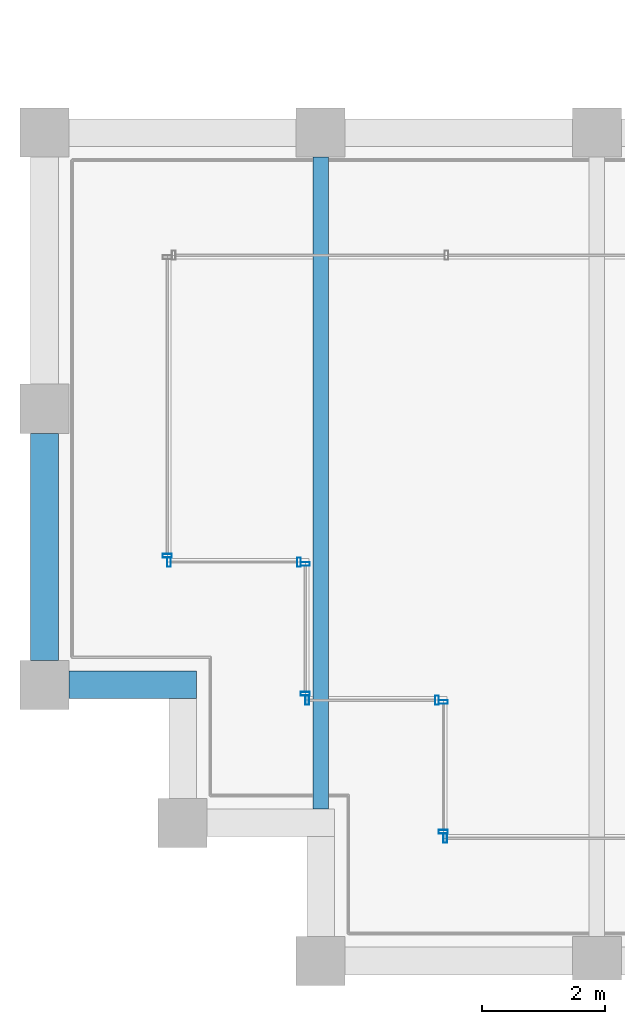
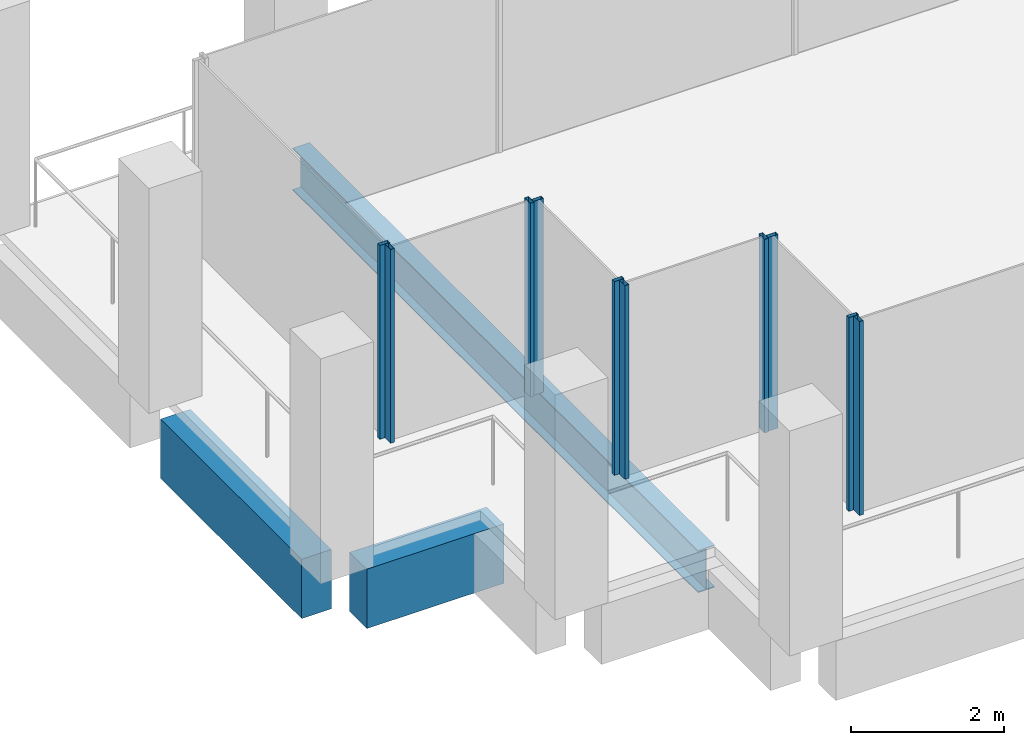
# One storey, part 2 of 41: 10 members, 3 beams, 6 elements without a shape of their own.
"""IFC4 building model written with IfcOpenShell, lengths in metres."""

from ifc_helpers import new_model, si_unit, direction, frame, origin, origin_2d, place, context, subcontext, project, spatial, rectangle, hollow_rectangle, i_section, extrude, material, material_profile, profile_set, type_object, element, aggregate, save


model = new_model("IFC4")

# Units and contexts
model_context = context("Model", 3, precision=1e-05, world=origin(), true_north=direction((0.0, 1.0)))
body_context = subcontext(model_context, "Body", "Model", "MODEL_VIEW")
ifc_project = project(units=[si_unit("LENGTHUNIT", "METRE"), si_unit("AREAUNIT", "SQUARE_METRE"), si_unit("VOLUMEUNIT", "CUBIC_METRE"), si_unit("PLANEANGLEUNIT", "RADIAN"), si_unit("MASSUNIT", "GRAM", prefix="KILO")], contexts=[model_context])

# Site, building, storey
site_placement = place(None, origin())
site = spatial("IfcSite", under=ifc_project, at=site_placement, CompositionType="ELEMENT")
building_placement = place(site_placement, origin())
building = spatial("IfcBuilding", under=site, at=building_placement, Name="Altepetl Exchange Towers", CompositionType="ELEMENT")
storey_placement = place(building_placement, frame((0.0, 0.0, 206.39990234375)))
storey = spatial("IfcBuildingStorey", under=building, at=storey_placement, Name="L52", CompositionType="ELEMENT", Elevation=206.39990234375)

# Beam
ifc_material_1 = material(Name="Steel S355", Category="steel")
ifc_material_profile_1 = material_profile(ifc_material_1, i_section(OverallWidth=0.2529296875, OverallDepth=0.677978515625, WebThickness=0.01171875, FlangeThickness=0.016357421875, at=origin_2d()), Name="W27X84")
ifc_profile_set_1 = profile_set([ifc_material_profile_1], Name="Steel S355")
beam_type_1 = type_object("IfcBeamType", Name="Floor beam W27X84", PredefinedType="BEAM", material=ifc_profile_set_1)
beam_1_placement = place(storey_placement, frame((31.5, 29.47509765625, -0.489013671875), z_axis=(0.0, 1.0, 0.0), x_axis=(-1.0, 0.0, 0.0)))
element("IfcBeam", 1, at=beam_1_placement, inside=storey, type_object=beam_type_1, Name="bm:A:L52:012", PredefinedType="BEAM", context=body_context, shape_type="SweptSolid", body=[
    extrude(i_section(OverallWidth=0.2529296875, OverallDepth=0.677978515625, WebThickness=0.01171875, FlangeThickness=0.016357421875, at=origin_2d()), origin(), (0.0, 0.0, 1.0), 10.625),
])

# Curtain wall, member
ifc_material_2 = material(Name="Aluminium 6063-T6 glazing", Category="aluminium")
curtain_wall_type = type_object("IfcCurtainWallType", Name="Loggia glazing system", PredefinedType="NOTDEFINED", material=ifc_material_2)
curtain_wall_1_placement = place(storey_placement, origin())
curtain_wall_1 = element("IfcCurtainWall", 2, at=curtain_wall_1_placement, inside=storey, type_object=curtain_wall_type, Name="CW1 run", PredefinedType="NOTDEFINED")
ifc_material_3 = material(Name="Aluminium 6063-T6", Category="aluminium")
ifc_material_profile_2 = material_profile(ifc_material_3, hollow_rectangle(XDim=0.06005859375, YDim=0.14990234375, WallThickness=0.0029296875, at=origin_2d()), Name="Mullion 60x150 aluminium")
ifc_profile_set_2 = profile_set([ifc_material_profile_2], Name="Aluminium 6063-T6")
member_type = type_object("IfcMemberType", Name="Mullion 60x150 aluminium", PredefinedType="MULLION", material=ifc_profile_set_2)
member_1_placement = place(storey_placement, frame((29.0, 33.60498046875, 0.0), z_axis=(0.0, 0.0, 1.0), x_axis=(0.0, -1.0, 0.0)))
member_1 = element("IfcMember", 3, at=member_1_placement, type_object=member_type, Name="MU1 mullion", PredefinedType="MULLION", context=body_context, shape_type="SweptSolid", body=[
    extrude(hollow_rectangle(XDim=0.06005859375, YDim=0.14990234375, WallThickness=0.0029296875, at=origin_2d()), origin(), (0.0, 0.0, 1.0), 3.10009765625),
])
aggregate(curtain_wall_1, [member_1])

# Curtain wall, members
curtain_wall_2_placement = place(storey_placement, origin())
curtain_wall_2 = element("IfcCurtainWall", 4, at=curtain_wall_2_placement, inside=storey, type_object=curtain_wall_type, Name="CW1 run", PredefinedType="NOTDEFINED")
member_2_placement = place(storey_placement, frame((29.030029296875, 33.5, 0.0)))
member_2 = element("IfcMember", 5, at=member_2_placement, type_object=member_type, Name="MU1 mullion", PredefinedType="MULLION", context=body_context, shape_type="SweptSolid", body=[
    extrude(hollow_rectangle(XDim=0.06005859375, YDim=0.14990234375, WallThickness=0.0029296875, at=origin_2d()), origin(), (0.0, 0.0, 1.0), 3.10009765625),
])
member_3_placement = place(storey_placement, frame((31.14501953125, 33.5, 0.0)))
member_3 = element("IfcMember", 6, at=member_3_placement, type_object=member_type, Name="MU1 mullion", PredefinedType="MULLION", context=body_context, shape_type="SweptSolid", body=[
    extrude(hollow_rectangle(XDim=0.06005859375, YDim=0.14990234375, WallThickness=0.0029296875, at=origin_2d()), origin(), (0.0, 0.0, 1.0), 3.10009765625),
])
aggregate(curtain_wall_2, [member_2, member_3])

curtain_wall_3_placement = place(storey_placement, origin())
curtain_wall_3 = element("IfcCurtainWall", 7, at=curtain_wall_3_placement, inside=storey, type_object=curtain_wall_type, Name="CW1 run", PredefinedType="NOTDEFINED")
member_4_placement = place(storey_placement, frame((31.25, 33.469970703125, 0.0), z_axis=(0.0, 0.0, 1.0), x_axis=(0.0, -1.0, 0.0)))
member_4 = element("IfcMember", 8, at=member_4_placement, type_object=member_type, Name="MU1 mullion", PredefinedType="MULLION", context=body_context, shape_type="SweptSolid", body=[
    extrude(hollow_rectangle(XDim=0.06005859375, YDim=0.14990234375, WallThickness=0.0029296875, at=origin_2d()), origin(), (0.0, 0.0, 1.0), 3.10009765625),
])
member_5_placement = place(storey_placement, frame((31.25, 31.35498046875, 0.0), z_axis=(0.0, 0.0, 1.0), x_axis=(0.0, -1.0, 0.0)))
member_5 = element("IfcMember", 9, at=member_5_placement, type_object=member_type, Name="MU1 mullion", PredefinedType="MULLION", context=body_context, shape_type="SweptSolid", body=[
    extrude(hollow_rectangle(XDim=0.06005859375, YDim=0.14990234375, WallThickness=0.0029296875, at=origin_2d()), origin(), (0.0, 0.0, 1.0), 3.10009765625),
])
aggregate(curtain_wall_3, [member_4, member_5])

curtain_wall_4_placement = place(storey_placement, origin())
curtain_wall_4 = element("IfcCurtainWall", 10, at=curtain_wall_4_placement, inside=storey, type_object=curtain_wall_type, Name="CW1 run", PredefinedType="NOTDEFINED")
member_6_placement = place(storey_placement, frame((31.280029296875, 31.25, 0.0)))
member_6 = element("IfcMember", 11, at=member_6_placement, type_object=member_type, Name="MU1 mullion", PredefinedType="MULLION", context=body_context, shape_type="SweptSolid", body=[
    extrude(hollow_rectangle(XDim=0.06005859375, YDim=0.14990234375, WallThickness=0.0029296875, at=origin_2d()), origin(), (0.0, 0.0, 1.0), 3.10009765625),
])
member_7_placement = place(storey_placement, frame((33.39501953125, 31.25, 0.0)))
member_7 = element("IfcMember", 12, at=member_7_placement, type_object=member_type, Name="MU1 mullion", PredefinedType="MULLION", context=body_context, shape_type="SweptSolid", body=[
    extrude(hollow_rectangle(XDim=0.06005859375, YDim=0.14990234375, WallThickness=0.0029296875, at=origin_2d()), origin(), (0.0, 0.0, 1.0), 3.10009765625),
])
aggregate(curtain_wall_4, [member_6, member_7])

curtain_wall_5_placement = place(storey_placement, origin())
curtain_wall_5 = element("IfcCurtainWall", 13, at=curtain_wall_5_placement, inside=storey, type_object=curtain_wall_type, Name="CW1 run", PredefinedType="NOTDEFINED")
member_8_placement = place(storey_placement, frame((33.5, 31.219970703125, 0.0), z_axis=(0.0, 0.0, 1.0), x_axis=(0.0, -1.0, 0.0)))
member_8 = element("IfcMember", 14, at=member_8_placement, type_object=member_type, Name="MU1 mullion", PredefinedType="MULLION", context=body_context, shape_type="SweptSolid", body=[
    extrude(hollow_rectangle(XDim=0.06005859375, YDim=0.14990234375, WallThickness=0.0029296875, at=origin_2d()), origin(), (0.0, 0.0, 1.0), 3.10009765625),
])
member_9_placement = place(storey_placement, frame((33.5, 29.10498046875, 0.0), z_axis=(0.0, 0.0, 1.0), x_axis=(0.0, -1.0, 0.0)))
member_9 = element("IfcMember", 15, at=member_9_placement, type_object=member_type, Name="MU1 mullion", PredefinedType="MULLION", context=body_context, shape_type="SweptSolid", body=[
    extrude(hollow_rectangle(XDim=0.06005859375, YDim=0.14990234375, WallThickness=0.0029296875, at=origin_2d()), origin(), (0.0, 0.0, 1.0), 3.10009765625),
])
aggregate(curtain_wall_5, [member_8, member_9])

# Curtain wall, member
curtain_wall_6_placement = place(storey_placement, origin())
curtain_wall_6 = element("IfcCurtainWall", 16, at=curtain_wall_6_placement, inside=storey, type_object=curtain_wall_type, Name="CW1 run", PredefinedType="NOTDEFINED")
member_10_placement = place(storey_placement, frame((33.530029296875, 29.0, 0.0)))
member_10 = element("IfcMember", 17, at=member_10_placement, type_object=member_type, Name="MU1 mullion", PredefinedType="MULLION", context=body_context, shape_type="SweptSolid", body=[
    extrude(hollow_rectangle(XDim=0.06005859375, YDim=0.14990234375, WallThickness=0.0029296875, at=origin_2d()), origin(), (0.0, 0.0, 1.0), 3.10009765625),
])
aggregate(curtain_wall_6, [member_10])

# Beams
ifc_material_4 = material(Name="Concrete C50/60 precast with cantera blanca facing", Category="concrete")
ifc_material_profile_3 = material_profile(ifc_material_4, rectangle(XDim=0.449951171875, YDim=0.949951171875, at=origin_2d()), Name="450 x 950")
ifc_profile_set_3 = profile_set([ifc_material_profile_3], Name="Concrete C50/60 precast with cantera blanca facing")
beam_type_2 = type_object("IfcBeamType", Name="Spandrel beam 450x950 cantera blanca", PredefinedType="SPANDREL", material=ifc_profile_set_3)
beam_2_placement = place(storey_placement, frame((27.0, 35.60009765625, -0.625), z_axis=(0.0, -1.0, 0.0), x_axis=(1.0, 0.0, 0.0)))
element("IfcBeam", 18, at=beam_2_placement, inside=storey, type_object=beam_type_2, Name="sp:A:L52:037", PredefinedType="SPANDREL", context=body_context, shape_type="SweptSolid", body=[
    extrude(rectangle(XDim=0.449951171875, YDim=0.949951171875, at=origin_2d()), origin(), (0.0, 0.0, 1.0), 3.7001953125),
])
beam_3_placement = place(storey_placement, frame((27.39990234375, 31.5, -0.625), z_axis=(1.0, 0.0, 0.0), x_axis=(0.0, 1.0, 0.0)))
element("IfcBeam", 19, at=beam_3_placement, inside=storey, type_object=beam_type_2, Name="sp:A:L52:038", PredefinedType="SPANDREL", context=body_context, shape_type="SweptSolid", body=[
    extrude(rectangle(XDim=0.449951171875, YDim=0.949951171875, at=origin_2d()), origin(), (0.0, 0.0, 1.0), 2.0751953125),
])

save(model, "model.ifc")
